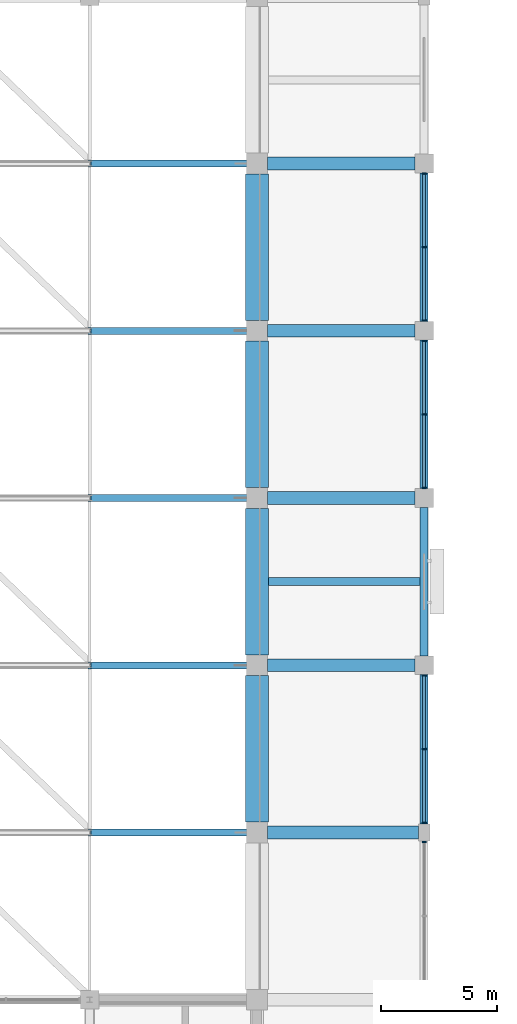
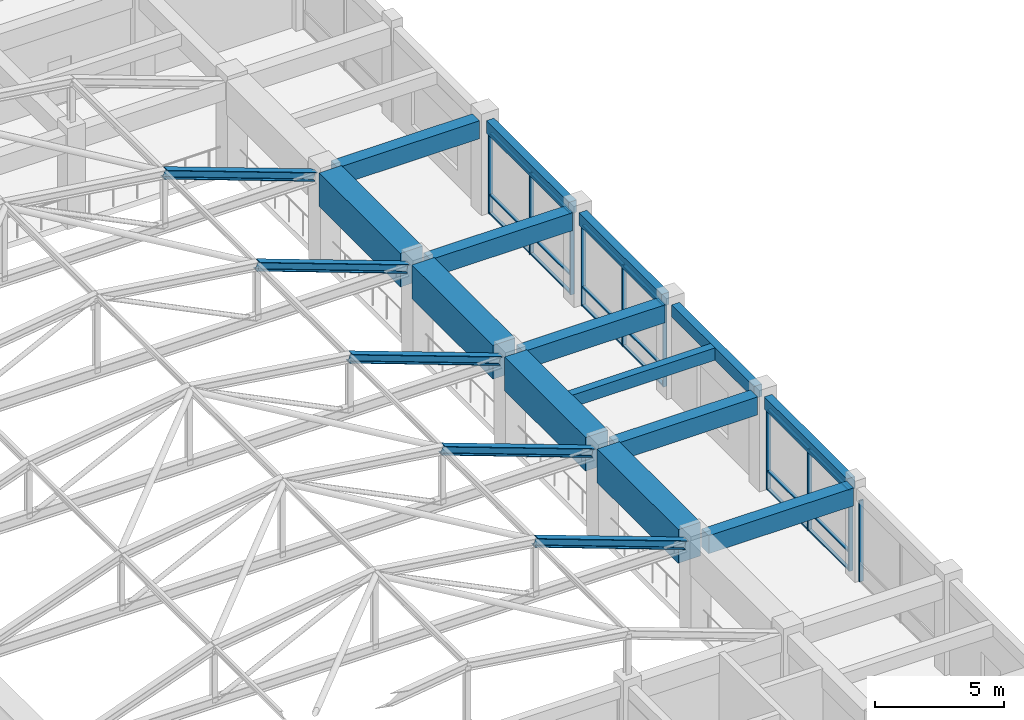
# One storey, part 23 of 75: 33 members, 14 beams, 4 elements without a shape of their own.
"""IFC4 building model written with IfcOpenShell, lengths in metres."""

from ifc_helpers import new_model, si_unit, direction, frame, origin, origin_2d, place, context, subcontext, project, spatial, rectangle, i_section, extrude, material, layer, layer_set, material_profile, profile_set, type_object, element, aggregate, save


model = new_model("IFC4")

# Units and contexts
model_context = context("Model", 3, precision=1e-05, world=origin(), true_north=direction((0.0, 1.0)))
body_context = subcontext(model_context, "Body", "Model", "MODEL_VIEW")
ifc_project = project(units=[si_unit("LENGTHUNIT", "METRE"), si_unit("AREAUNIT", "SQUARE_METRE"), si_unit("VOLUMEUNIT", "CUBIC_METRE"), si_unit("PLANEANGLEUNIT", "RADIAN"), si_unit("MASSUNIT", "GRAM", prefix="KILO")], contexts=[model_context])

# Site, building, storey
site_placement = place(None, origin())
site = spatial("IfcSite", under=ifc_project, at=site_placement, CompositionType="ELEMENT")
building_placement = place(site_placement, origin())
building = spatial("IfcBuilding", under=site, at=building_placement, Name="Cendaluz Park School", CompositionType="ELEMENT")
storey_placement = place(building_placement, frame((0.0, 0.0, 4.800048828125)))
storey = spatial("IfcBuildingStorey", under=building, at=storey_placement, Name="L01", CompositionType="ELEMENT", Elevation=4.800048828125)

# Beams
ifc_material_1 = material(Name="Concrete C40/50", Category="concrete")
ifc_material_profile_1 = material_profile(ifc_material_1, rectangle(XDim=0.550048828125, YDim=0.85009765625, at=origin_2d()), Name="RC 550x850", Category="concrete")
ifc_profile_set_1 = profile_set([ifc_material_profile_1], Name="Concrete C40/50")
beam_type_1 = type_object("IfcBeamType", Name="BM-RC01", PredefinedType="BEAM", material=ifc_profile_set_1)
beam_1_placement = place(storey_placement, frame((36.449951171875, 64.800048828125, 4.0048828125), z_axis=(1.0, 0.0, 0.0), x_axis=(0.0, 1.0, 0.0)))
element("IfcBeam", 1, at=beam_1_placement, inside=storey, type_object=beam_type_1, Name="BM-L01-BMRC01-0061", PredefinedType="BEAM", context=body_context, shape_type="SweptSolid", body=[
    extrude(rectangle(XDim=0.550048828125, YDim=0.85009765625, at=origin_2d()), origin(), (0.0, 0.0, 1.0), 6.5),
])
for number, where, z_axis, x_axis, name in (
    (2, (36.449951171875, 72.0, 4.0048828125), (1.0, 0.0, 0.0), (0.0, 1.0, 0.0), "BM-L01-BMRC01-0062"),
    (3, (36.449951171875, 79.199951171875, 4.0048828125), (1.0, 0.0, 0.0), (0.0, 1.0, 0.0), "BM-L01-BMRC01-0063"),
    (4, (36.449951171875, 86.39990234375, 4.0048828125), (1.0, 0.0, 0.0), (0.0, 1.0, 0.0), "BM-L01-BMRC01-0064"),
    (5, (36.449951171875, 93.60009765625, 4.0048828125), (1.0, 0.0, 0.0), (0.0, 1.0, 0.0), "BM-L01-BMRC01-0065"),
):
    element("IfcBeam", number, at=place(storey_placement, frame(where, z_axis=z_axis, x_axis=x_axis)), inside=storey, type_object=beam_type_1, Name=name, PredefinedType="BEAM", context=body_context, shape_type="SweptSolid", body=[
        extrude(rectangle(XDim=0.550048828125, YDim=0.85009765625, at=origin_2d()), origin(), (0.0, 0.0, 1.0), 6.35009765625),
    ])
ifc_material_profile_2 = material_profile(ifc_material_1, rectangle(XDim=0.35009765625, YDim=0.580078125, at=origin_2d()), Name="RC 350x580", Category="concrete")
ifc_profile_set_2 = profile_set([ifc_material_profile_2], Name="Concrete C40/50")
beam_type_2 = type_object("IfcBeamType", Name="BM-RC04", PredefinedType="LINTEL", material=ifc_profile_set_2)
beam_2_placement = place(storey_placement, frame((43.199951171875, 65.175048828125, 4.139892578125), z_axis=(0.0, 1.0, 0.0), x_axis=(-1.0, 0.0, 0.0)))
element("IfcBeam", 6, at=beam_2_placement, inside=storey, type_object=beam_type_2, Name="BM-L01-BMRC04-0296", PredefinedType="LINTEL", context=body_context, shape_type="SweptSolid", body=[
    extrude(rectangle(XDim=0.35009765625, YDim=0.580078125, at=origin_2d()), origin(), (0.0, 0.0, 1.0), 6.425048828125),
])
beam_3_placement = place(storey_placement, frame((43.199951171875, 72.39990234375, 4.139892578125), z_axis=(0.0, 1.0, 0.0), x_axis=(-1.0, 0.0, 0.0)))
element("IfcBeam", 7, at=beam_3_placement, inside=storey, type_object=beam_type_2, Name="BM-L01-BMRC04-0297", PredefinedType="LINTEL", context=body_context, shape_type="SweptSolid", body=[
    extrude(rectangle(XDim=0.35009765625, YDim=0.580078125, at=origin_2d()), origin(), (0.0, 0.0, 1.0), 6.400146484375),
])
for number, where, z_axis, x_axis, name in (
    (8, (43.199951171875, 79.60009765625, 4.139892578125), (0.0, 1.0, 0.0), (-1.0, 0.0, 0.0), "BM-L01-BMRC04-0298"),
    (9, (43.199951171875, 86.800048828125, 4.139892578125), (0.0, 1.0, 0.0), (-1.0, 0.0, 0.0), "BM-L01-BMRC04-0299"),
):
    element("IfcBeam", number, at=place(storey_placement, frame(where, z_axis=z_axis, x_axis=x_axis)), inside=storey, type_object=beam_type_2, Name=name, PredefinedType="LINTEL", context=body_context, shape_type="SweptSolid", body=[
        extrude(rectangle(XDim=0.35009765625, YDim=0.580078125, at=origin_2d()), origin(), (0.0, 0.0, 1.0), 6.39990234375),
    ])

# Curtain wall, member
ifc_material_2 = material(Name="Anodised Aluminium 6063-T6", Category="aluminium")
ifc_layer = layer(ifc_material_2, 0.179931640625)
ifc_layer_set = layer_set([ifc_layer], Name="Anodised Aluminium 6063-T6")
curtain_wall_type = type_object("IfcCurtainWallType", Name="CW-128x77", PredefinedType="NOTDEFINED", material=ifc_layer_set)
curtain_wall_1_placement = place(storey_placement, origin())
curtain_wall_1 = element("IfcCurtainWall", 10, at=curtain_wall_1_placement, inside=storey, type_object=curtain_wall_type, Name="CW-L01-027", PredefinedType="NOTDEFINED")
ifc_material_profile_3 = material_profile(ifc_material_2, rectangle(XDim=0.179931640625, YDim=0.070068359375, at=origin_2d()), Name="CWM 180x70", Category="aluminium")
ifc_profile_set_3 = profile_set([ifc_material_profile_3], Name="Anodised Aluminium 6063-T6")
member_type_1 = type_object("IfcMemberType", Name="CWM-01", PredefinedType="MULLION", material=ifc_profile_set_3)
member_1_placement = place(storey_placement, frame((43.199951171875, 64.389892578125, 0.0), z_axis=(0.0, 0.0, 1.0), x_axis=(-1.0, 0.0, 0.0)))
member_1 = element("IfcMember", 11, at=member_1_placement, type_object=member_type_1, Name="CP-L01-0341", PredefinedType="MULLION", context=body_context, shape_type="SweptSolid", body=[
    extrude(rectangle(XDim=0.179931640625, YDim=0.070068359375, at=origin_2d()), origin(), (0.0, 0.0, 1.0), 3.849853515625),
])
aggregate(curtain_wall_1, [member_1])

# Curtain wall, members
curtain_wall_2_placement = place(storey_placement, origin())
curtain_wall_2 = element("IfcCurtainWall", 12, at=curtain_wall_2_placement, inside=storey, type_object=curtain_wall_type, Name="CW-L01-028", PredefinedType="NOTDEFINED")
member_2_placement = place(storey_placement, frame((43.199951171875, 65.2099609375, 0.0), z_axis=(0.0, 0.0, 1.0), x_axis=(-1.0, 0.0, 0.0)))
member_2 = element("IfcMember", 13, at=member_2_placement, type_object=member_type_1, Name="CP-L01-0352", PredefinedType="MULLION", context=body_context, shape_type="SweptSolid", body=[
    extrude(rectangle(XDim=0.179931640625, YDim=0.070068359375, at=origin_2d()), origin(), (0.0, 0.0, 1.0), 3.849853515625),
])
member_3_placement = place(storey_placement, frame((43.199951171875, 68.387451171875, 0.0), z_axis=(0.0, 0.0, 1.0), x_axis=(-1.0, 0.0, 0.0)))
member_3 = element("IfcMember", 14, at=member_3_placement, type_object=member_type_1, Name="CP-L01-0353", PredefinedType="MULLION", context=body_context, shape_type="SweptSolid", body=[
    extrude(rectangle(XDim=0.179931640625, YDim=0.070068359375, at=origin_2d()), origin(), (0.0, 0.0, 1.0), 3.849853515625),
])
member_4_placement = place(storey_placement, frame((43.199951171875, 71.56494140625, 0.0), z_axis=(0.0, 0.0, 1.0), x_axis=(-1.0, 0.0, 0.0)))
member_4 = element("IfcMember", 15, at=member_4_placement, type_object=member_type_1, Name="CP-L01-0354", PredefinedType="MULLION", context=body_context, shape_type="SweptSolid", body=[
    extrude(rectangle(XDim=0.179931640625, YDim=0.070068359375, at=origin_2d()), origin(), (0.0, 0.0, 1.0), 3.849853515625),
])

curtain_wall_3_placement = place(storey_placement, origin())
curtain_wall_3 = element("IfcCurtainWall", 16, at=curtain_wall_3_placement, inside=storey, type_object=curtain_wall_type, Name="CW-L01-029", PredefinedType="NOTDEFINED")
member_5_placement = place(storey_placement, frame((43.199951171875, 79.635009765625, 0.0), z_axis=(0.0, 0.0, 1.0), x_axis=(-1.0, 0.0, 0.0)))
member_5 = element("IfcMember", 17, at=member_5_placement, type_object=member_type_1, Name="CP-L01-0365", PredefinedType="MULLION", context=body_context, shape_type="SweptSolid", body=[
    extrude(rectangle(XDim=0.179931640625, YDim=0.070068359375, at=origin_2d()), origin(), (0.0, 0.0, 1.0), 3.849853515625),
])
member_6_placement = place(storey_placement, frame((43.199951171875, 82.800048828125, 0.0), z_axis=(0.0, 0.0, 1.0), x_axis=(-1.0, 0.0, 0.0)))
member_6 = element("IfcMember", 18, at=member_6_placement, type_object=member_type_1, Name="CP-L01-0366", PredefinedType="MULLION", context=body_context, shape_type="SweptSolid", body=[
    extrude(rectangle(XDim=0.179931640625, YDim=0.070068359375, at=origin_2d()), origin(), (0.0, 0.0, 1.0), 3.849853515625),
])
member_7_placement = place(storey_placement, frame((43.199951171875, 85.965087890625, 0.0), z_axis=(0.0, 0.0, 1.0), x_axis=(-1.0, 0.0, 0.0)))
member_7 = element("IfcMember", 19, at=member_7_placement, type_object=member_type_1, Name="CP-L01-0367", PredefinedType="MULLION", context=body_context, shape_type="SweptSolid", body=[
    extrude(rectangle(XDim=0.179931640625, YDim=0.070068359375, at=origin_2d()), origin(), (0.0, 0.0, 1.0), 3.849853515625),
])

curtain_wall_4_placement = place(storey_placement, origin())
curtain_wall_4 = element("IfcCurtainWall", 20, at=curtain_wall_4_placement, inside=storey, type_object=curtain_wall_type, Name="CW-L01-030", PredefinedType="NOTDEFINED")
member_8_placement = place(storey_placement, frame((43.199951171875, 86.8349609375, 0.0), z_axis=(0.0, 0.0, 1.0), x_axis=(-1.0, 0.0, 0.0)))
member_8 = element("IfcMember", 21, at=member_8_placement, type_object=member_type_1, Name="CP-L01-0378", PredefinedType="MULLION", context=body_context, shape_type="SweptSolid", body=[
    extrude(rectangle(XDim=0.179931640625, YDim=0.070068359375, at=origin_2d()), origin(), (0.0, 0.0, 1.0), 3.849853515625),
])
member_9_placement = place(storey_placement, frame((43.199951171875, 90.0, 0.0), z_axis=(0.0, 0.0, 1.0), x_axis=(-1.0, 0.0, 0.0)))
member_9 = element("IfcMember", 22, at=member_9_placement, type_object=member_type_1, Name="CP-L01-0379", PredefinedType="MULLION", context=body_context, shape_type="SweptSolid", body=[
    extrude(rectangle(XDim=0.179931640625, YDim=0.070068359375, at=origin_2d()), origin(), (0.0, 0.0, 1.0), 3.849853515625),
])
member_10_placement = place(storey_placement, frame((43.199951171875, 93.1650390625, 0.0), z_axis=(0.0, 0.0, 1.0), x_axis=(-1.0, 0.0, 0.0)))
member_10 = element("IfcMember", 23, at=member_10_placement, type_object=member_type_1, Name="CP-L01-0380", PredefinedType="MULLION", context=body_context, shape_type="SweptSolid", body=[
    extrude(rectangle(XDim=0.179931640625, YDim=0.070068359375, at=origin_2d()), origin(), (0.0, 0.0, 1.0), 3.849853515625),
])

# Member
ifc_material_profile_4 = material_profile(ifc_material_2, rectangle(XDim=0.139892578125, YDim=0.070068359375, at=origin_2d()), Name="CWT 140x70", Category="aluminium")
ifc_profile_set_4 = profile_set([ifc_material_profile_4], Name="Anodised Aluminium 6063-T6")
member_type_2 = type_object("IfcMemberType", Name="CWT-01", PredefinedType="USERDEFINED", material=ifc_profile_set_4)
member_11_placement = place(storey_placement, frame((43.199951171875, 65.2451171875, 0.034912109375), z_axis=(0.0, 1.0, 0.0), x_axis=(-1.0, 0.0, 0.0)))
member_11 = element("IfcMember", 24, at=member_11_placement, type_object=member_type_2, Name="CP-L01-0355", ObjectType="TRANSOM", PredefinedType="USERDEFINED", context=body_context, shape_type="SweptSolid", body=[
    extrude(rectangle(XDim=0.139892578125, YDim=0.070068359375, at=origin_2d()), origin(), (0.0, 0.0, 1.0), 3.107421875),
])

member_12_placement = place(storey_placement, frame((43.199951171875, 65.2451171875, 0.89990234375), z_axis=(0.0, 1.0, 0.0), x_axis=(-1.0, 0.0, 0.0)))
member_12 = element("IfcMember", 25, at=member_12_placement, type_object=member_type_2, Name="CP-L01-0356", ObjectType="TRANSOM", PredefinedType="USERDEFINED", context=body_context, shape_type="SweptSolid", body=[
    extrude(rectangle(XDim=0.139892578125, YDim=0.070068359375, at=origin_2d()), origin(), (0.0, 0.0, 1.0), 3.107421875),
])

member_13_placement = place(storey_placement, frame((43.199951171875, 65.2451171875, 3.81494140625), z_axis=(0.0, 1.0, 0.0), x_axis=(-1.0, 0.0, 0.0)))
member_13 = element("IfcMember", 26, at=member_13_placement, type_object=member_type_2, Name="CP-L01-0357", ObjectType="TRANSOM", PredefinedType="USERDEFINED", context=body_context, shape_type="SweptSolid", body=[
    extrude(rectangle(XDim=0.139892578125, YDim=0.070068359375, at=origin_2d()), origin(), (0.0, 0.0, 1.0), 3.107421875),
])

member_14_placement = place(storey_placement, frame((43.199951171875, 68.422607421875, 0.034912109375), z_axis=(0.0, 1.0, 0.0), x_axis=(-1.0, 0.0, 0.0)))
member_14 = element("IfcMember", 27, at=member_14_placement, type_object=member_type_2, Name="CP-L01-0360", ObjectType="TRANSOM", PredefinedType="USERDEFINED", context=body_context, shape_type="SweptSolid", body=[
    extrude(rectangle(XDim=0.139892578125, YDim=0.070068359375, at=origin_2d()), origin(), (0.0, 0.0, 1.0), 3.107421875),
])

member_15_placement = place(storey_placement, frame((43.199951171875, 68.422607421875, 0.89990234375), z_axis=(0.0, 1.0, 0.0), x_axis=(-1.0, 0.0, 0.0)))
member_15 = element("IfcMember", 28, at=member_15_placement, type_object=member_type_2, Name="CP-L01-0361", ObjectType="TRANSOM", PredefinedType="USERDEFINED", context=body_context, shape_type="SweptSolid", body=[
    extrude(rectangle(XDim=0.139892578125, YDim=0.070068359375, at=origin_2d()), origin(), (0.0, 0.0, 1.0), 3.107421875),
])

member_16_placement = place(storey_placement, frame((43.199951171875, 68.422607421875, 3.81494140625), z_axis=(0.0, 1.0, 0.0), x_axis=(-1.0, 0.0, 0.0)))
member_16 = element("IfcMember", 29, at=member_16_placement, type_object=member_type_2, Name="CP-L01-0362", ObjectType="TRANSOM", PredefinedType="USERDEFINED", context=body_context, shape_type="SweptSolid", body=[
    extrude(rectangle(XDim=0.139892578125, YDim=0.070068359375, at=origin_2d()), origin(), (0.0, 0.0, 1.0), 3.107421875),
])

aggregate(curtain_wall_2, [member_2, member_3, member_4, member_11, member_12, member_13, member_14, member_15, member_16])

member_17_placement = place(storey_placement, frame((43.199951171875, 79.669921875, 0.034912109375), z_axis=(0.0, 1.0, 0.0), x_axis=(-1.0, 0.0, 0.0)))
member_17 = element("IfcMember", 30, at=member_17_placement, type_object=member_type_2, Name="CP-L01-0368", ObjectType="TRANSOM", PredefinedType="USERDEFINED", context=body_context, shape_type="SweptSolid", body=[
    extrude(rectangle(XDim=0.139892578125, YDim=0.070068359375, at=origin_2d()), origin(), (0.0, 0.0, 1.0), 3.094970703125),
])

member_18_placement = place(storey_placement, frame((43.199951171875, 79.669921875, 0.89990234375), z_axis=(0.0, 1.0, 0.0), x_axis=(-1.0, 0.0, 0.0)))
member_18 = element("IfcMember", 31, at=member_18_placement, type_object=member_type_2, Name="CP-L01-0369", ObjectType="TRANSOM", PredefinedType="USERDEFINED", context=body_context, shape_type="SweptSolid", body=[
    extrude(rectangle(XDim=0.139892578125, YDim=0.070068359375, at=origin_2d()), origin(), (0.0, 0.0, 1.0), 3.094970703125),
])

member_19_placement = place(storey_placement, frame((43.199951171875, 79.669921875, 3.81494140625), z_axis=(0.0, 1.0, 0.0), x_axis=(-1.0, 0.0, 0.0)))
member_19 = element("IfcMember", 32, at=member_19_placement, type_object=member_type_2, Name="CP-L01-0370", ObjectType="TRANSOM", PredefinedType="USERDEFINED", context=body_context, shape_type="SweptSolid", body=[
    extrude(rectangle(XDim=0.139892578125, YDim=0.070068359375, at=origin_2d()), origin(), (0.0, 0.0, 1.0), 3.094970703125),
])

member_20_placement = place(storey_placement, frame((43.199951171875, 82.8349609375, 0.034912109375), z_axis=(0.0, 1.0, 0.0), x_axis=(-1.0, 0.0, 0.0)))
member_20 = element("IfcMember", 33, at=member_20_placement, type_object=member_type_2, Name="CP-L01-0373", ObjectType="TRANSOM", PredefinedType="USERDEFINED", context=body_context, shape_type="SweptSolid", body=[
    extrude(rectangle(XDim=0.139892578125, YDim=0.070068359375, at=origin_2d()), origin(), (0.0, 0.0, 1.0), 3.094970703125),
])

member_21_placement = place(storey_placement, frame((43.199951171875, 82.8349609375, 0.89990234375), z_axis=(0.0, 1.0, 0.0), x_axis=(-1.0, 0.0, 0.0)))
member_21 = element("IfcMember", 34, at=member_21_placement, type_object=member_type_2, Name="CP-L01-0374", ObjectType="TRANSOM", PredefinedType="USERDEFINED", context=body_context, shape_type="SweptSolid", body=[
    extrude(rectangle(XDim=0.139892578125, YDim=0.070068359375, at=origin_2d()), origin(), (0.0, 0.0, 1.0), 3.094970703125),
])

member_22_placement = place(storey_placement, frame((43.199951171875, 82.8349609375, 3.81494140625), z_axis=(0.0, 1.0, 0.0), x_axis=(-1.0, 0.0, 0.0)))
member_22 = element("IfcMember", 35, at=member_22_placement, type_object=member_type_2, Name="CP-L01-0375", ObjectType="TRANSOM", PredefinedType="USERDEFINED", context=body_context, shape_type="SweptSolid", body=[
    extrude(rectangle(XDim=0.139892578125, YDim=0.070068359375, at=origin_2d()), origin(), (0.0, 0.0, 1.0), 3.094970703125),
])

aggregate(curtain_wall_3, [member_5, member_6, member_7, member_17, member_18, member_19, member_20, member_21, member_22])

member_23_placement = place(storey_placement, frame((43.199951171875, 86.8701171875, 0.034912109375), z_axis=(0.0, 1.0, 0.0), x_axis=(-1.0, 0.0, 0.0)))
member_23 = element("IfcMember", 36, at=member_23_placement, type_object=member_type_2, Name="CP-L01-0381", ObjectType="TRANSOM", PredefinedType="USERDEFINED", context=body_context, shape_type="SweptSolid", body=[
    extrude(rectangle(XDim=0.139892578125, YDim=0.070068359375, at=origin_2d()), origin(), (0.0, 0.0, 1.0), 3.094970703125),
])

member_24_placement = place(storey_placement, frame((43.199951171875, 86.8701171875, 0.89990234375), z_axis=(0.0, 1.0, 0.0), x_axis=(-1.0, 0.0, 0.0)))
member_24 = element("IfcMember", 37, at=member_24_placement, type_object=member_type_2, Name="CP-L01-0382", ObjectType="TRANSOM", PredefinedType="USERDEFINED", context=body_context, shape_type="SweptSolid", body=[
    extrude(rectangle(XDim=0.139892578125, YDim=0.070068359375, at=origin_2d()), origin(), (0.0, 0.0, 1.0), 3.094970703125),
])

member_25_placement = place(storey_placement, frame((43.199951171875, 86.8701171875, 3.81494140625), z_axis=(0.0, 1.0, 0.0), x_axis=(-1.0, 0.0, 0.0)))
member_25 = element("IfcMember", 38, at=member_25_placement, type_object=member_type_2, Name="CP-L01-0383", ObjectType="TRANSOM", PredefinedType="USERDEFINED", context=body_context, shape_type="SweptSolid", body=[
    extrude(rectangle(XDim=0.139892578125, YDim=0.070068359375, at=origin_2d()), origin(), (0.0, 0.0, 1.0), 3.094970703125),
])

member_26_placement = place(storey_placement, frame((43.199951171875, 90.034912109375, 0.034912109375), z_axis=(0.0, 1.0, 0.0), x_axis=(-1.0, 0.0, 0.0)))
member_26 = element("IfcMember", 39, at=member_26_placement, type_object=member_type_2, Name="CP-L01-0386", ObjectType="TRANSOM", PredefinedType="USERDEFINED", context=body_context, shape_type="SweptSolid", body=[
    extrude(rectangle(XDim=0.139892578125, YDim=0.070068359375, at=origin_2d()), origin(), (0.0, 0.0, 1.0), 3.094970703125),
])

member_27_placement = place(storey_placement, frame((43.199951171875, 90.034912109375, 0.89990234375), z_axis=(0.0, 1.0, 0.0), x_axis=(-1.0, 0.0, 0.0)))
member_27 = element("IfcMember", 40, at=member_27_placement, type_object=member_type_2, Name="CP-L01-0387", ObjectType="TRANSOM", PredefinedType="USERDEFINED", context=body_context, shape_type="SweptSolid", body=[
    extrude(rectangle(XDim=0.139892578125, YDim=0.070068359375, at=origin_2d()), origin(), (0.0, 0.0, 1.0), 3.094970703125),
])

member_28_placement = place(storey_placement, frame((43.199951171875, 90.034912109375, 3.81494140625), z_axis=(0.0, 1.0, 0.0), x_axis=(-1.0, 0.0, 0.0)))
member_28 = element("IfcMember", 41, at=member_28_placement, type_object=member_type_2, Name="CP-L01-0388", ObjectType="TRANSOM", PredefinedType="USERDEFINED", context=body_context, shape_type="SweptSolid", body=[
    extrude(rectangle(XDim=0.139892578125, YDim=0.070068359375, at=origin_2d()), origin(), (0.0, 0.0, 1.0), 3.094970703125),
])

aggregate(curtain_wall_4, [member_8, member_9, member_10, member_23, member_24, member_25, member_26, member_27, member_28])

# Beam
ifc_material_profile_5 = material_profile(ifc_material_1, rectangle(XDim=0.35009765625, YDim=0.580078125, at=origin_2d()), Name="RC 350x580", Category="concrete")
ifc_profile_set_5 = profile_set([ifc_material_profile_5], Name="Concrete C40/50")
beam_type_3 = type_object("IfcBeamType", Name="JT-RC01", PredefinedType="JOIST", material=ifc_profile_set_5)
beam_4_placement = place(storey_placement, frame((36.5, 75.60009765625, 4.139892578125), z_axis=(1.0, 0.0, 0.0), x_axis=(0.0, 1.0, 0.0)))
element("IfcBeam", 42, at=beam_4_placement, inside=storey, type_object=beam_type_3, Name="BM-L01-JTRC01-0482", PredefinedType="JOIST", context=body_context, shape_type="SweptSolid", body=[
    extrude(rectangle(XDim=0.35009765625, YDim=0.580078125, at=origin_2d()), origin(), (0.0, 0.0, 1.0), 6.52490234375),
])

# Members
ifc_material_3 = material(Name="Steel S355", Category="steel")
ifc_material_profile_6 = material_profile(ifc_material_3, i_section(OverallWidth=0.300048828125, OverallDepth=0.39990234375, WebThickness=0.013916015625, FlangeThickness=0.02392578125, FilletRadius=0.027099609375, at=origin_2d()), Name="HEB 400", Category="steel")
ifc_profile_set_6 = profile_set([ifc_material_profile_6], Name="Steel S355")
member_type_3 = type_object("IfcMemberType", Name="MB-CH01", PredefinedType="CHORD", material=ifc_profile_set_6)
for number, where, z_axis, x_axis, name in (
    (43, (28.800048828125, 64.800048828125, 6.68994140625), (0.939102267455, 0.0, -0.343637790793), (0.0, 1.0, 0.0), "MB-L01-MBCH01-0011"),
    (44, (28.800048828125, 72.0, 6.68994140625), (0.939102267455, 0.0, -0.343637790793), (0.0, 1.0, 0.0), "MB-L01-MBCH01-0020"),
    (45, (28.800048828125, 79.199951171875, 6.68994140625), (0.939102267455, 0.0, -0.343637790793), (0.0, 1.0, 0.0), "MB-L01-MBCH01-0029"),
    (46, (28.800048828125, 86.39990234375, 6.68994140625), (0.939102267455, 0.0, -0.343637790793), (0.0, 1.0, 0.0), "MB-L01-MBCH01-0038"),
    (47, (28.800048828125, 93.60009765625, 6.68994140625), (0.939102267455, 0.0, -0.343637790793), (0.0, 1.0, 0.0), "MB-L01-MBCH01-0047"),
):
    element("IfcMember", number, at=place(storey_placement, frame(where, z_axis=z_axis, x_axis=x_axis)), inside=storey, type_object=member_type_3, Name=name, PredefinedType="CHORD", context=body_context, shape_type="SweptSolid", body=[
        extrude(i_section(OverallWidth=0.300048828125, OverallDepth=0.39990234375, WebThickness=0.013916015625, FlangeThickness=0.02392578125, FilletRadius=0.027099609375, at=origin_2d()), origin(), (0.0, 0.0, 1.0), 7.187744140625),
    ])

# Beams
ifc_material_profile_7 = material_profile(ifc_material_1, rectangle(XDim=1.0, YDim=1.60009765625, at=origin_2d()), Name="RC 1000x1600", Category="concrete")
ifc_profile_set_7 = profile_set([ifc_material_profile_7], Name="Concrete C40/50")
beam_type_4 = type_object("IfcBeamType", Name="TG-RC01", PredefinedType="BEAM", material=ifc_profile_set_7)
for number, where, z_axis, x_axis, name in (
    (48, (36.0, 65.25, 3.820068359375), (0.0, 1.0, 0.0), (-1.0, 0.0, 0.0), "Barrel Vault Collector Girder BM-L01-TGRC01-0280"),
    (49, (36.0, 72.449951171875, 3.820068359375), (0.0, 1.0, 0.0), (-1.0, 0.0, 0.0), "Barrel Vault Collector Girder BM-L01-TGRC01-0281"),
    (50, (36.0, 79.64990234375, 3.820068359375), (0.0, 1.0, 0.0), (-1.0, 0.0, 0.0), "Barrel Vault Collector Girder BM-L01-TGRC01-0282"),
):
    element("IfcBeam", number, at=place(storey_placement, frame(where, z_axis=z_axis, x_axis=x_axis)), inside=storey, type_object=beam_type_4, Name=name, PredefinedType="BEAM", context=body_context, shape_type="SweptSolid", body=[
        extrude(rectangle(XDim=1.0, YDim=1.60009765625, at=origin_2d()), origin(), (0.0, 0.0, 1.0), 6.300048828125),
    ])
beam_5_placement = place(storey_placement, frame((36.0, 86.85009765625, 3.820068359375), z_axis=(0.0, 1.0, 0.0), x_axis=(-1.0, 0.0, 0.0)))
element("IfcBeam", 51, at=beam_5_placement, inside=storey, type_object=beam_type_4, Name="Barrel Vault Collector Girder BM-L01-TGRC01-0283", PredefinedType="BEAM", context=body_context, shape_type="SweptSolid", body=[
    extrude(rectangle(XDim=1.0, YDim=1.60009765625, at=origin_2d()), origin(), (0.0, 0.0, 1.0), 6.2998046875),
])

save(model, "model.ifc")
